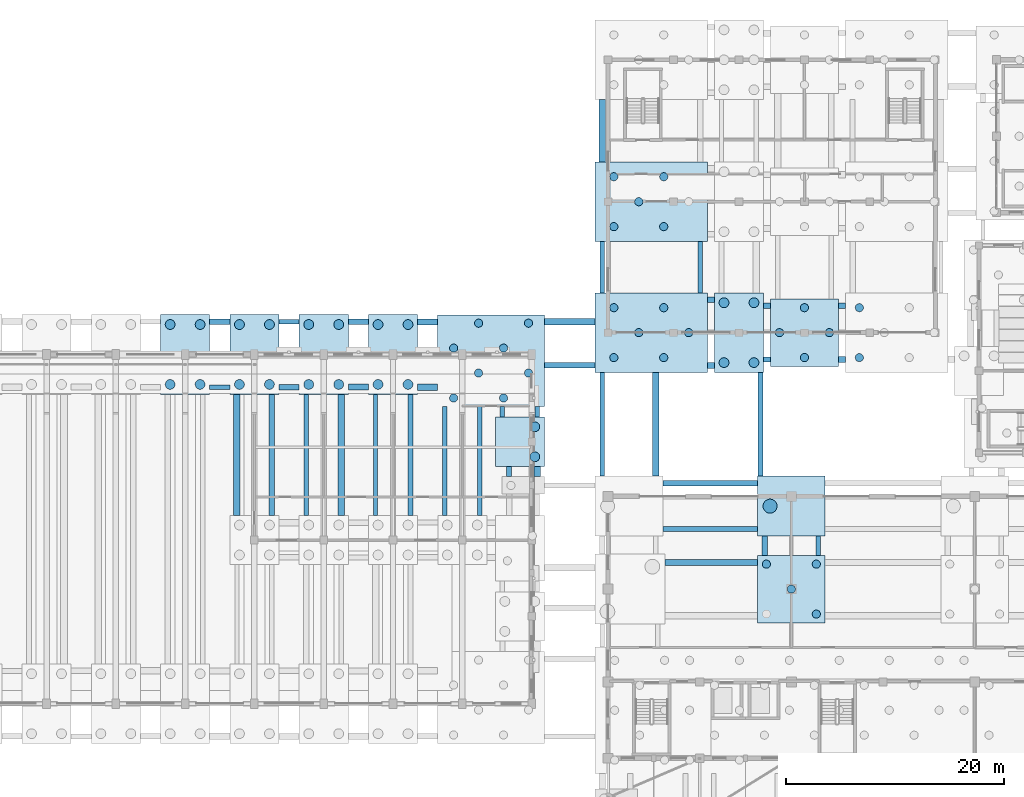
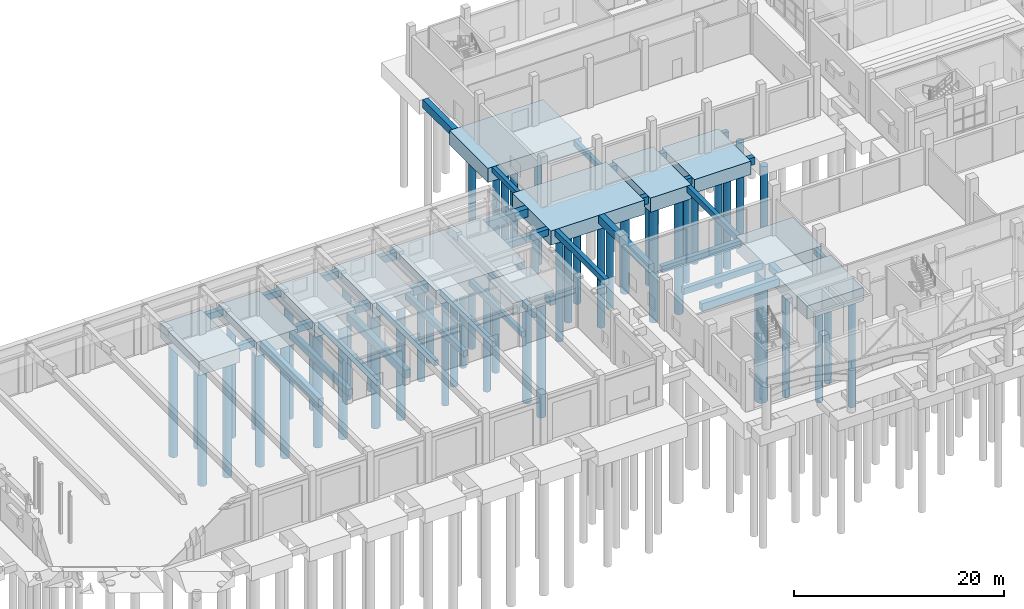
# One storey, part 5 of 60: 52 piles, 51 footings.
"""IFC4 building model written with IfcOpenShell, lengths in metres."""

import ifcopenshell
import ifcopenshell.guid

model = None  # the IFC model being written
_history = None  # IfcOwnerHistory: only IFC2X3 demands one
_inside = {}  # id of a spatial element -> (the spatial element, [elements in it])
_under = {}  # id of a project, library or spatial element -> (it, [spatial elements below it])
_declared = {}  # id of a project -> (the project, [libraries it declares])
_typed = {}  # id of a type object -> (the type object, [elements of that type])
_made_of = {}  # id of a material, layer set ... -> (it, [elements and type objects made of it])


def new_model(schema):
    """Start an empty IFC model of exactly this schema.

    Asked for "IFC4X3", IfcOpenShell would pick the latest addendum, in which some entities
    have other attributes; the version numbers below select the first issue.
    IFC2X3 requires an IfcOwnerHistory on every rooted entity: one is made here for all.
    """
    global model, _history
    if schema == "IFC4X3":
        model = ifcopenshell.file(schema_version=(4, 3, 0, 0))
    else:
        model = ifcopenshell.file(schema=schema)
    _inside.clear()
    _under.clear()
    _declared.clear()
    _typed.clear()
    _made_of.clear()
    _history = None
    if model.schema == "IFC2X3":
        org = make("IfcOrganization", Name="unknown")
        user = make(
            "IfcPersonAndOrganization",
            ThePerson=make("IfcPerson", FamilyName="unknown"),
            TheOrganization=org,
        )
        app = make(
            "IfcApplication",
            ApplicationDeveloper=org,
            Version="unknown",
            ApplicationFullName="unknown",
            ApplicationIdentifier="unknown",
        )
        _history = make(
            "IfcOwnerHistory",
            OwningUser=user,
            OwningApplication=app,
            ChangeAction="ADDED",
            CreationDate=0,
        )
    return model


def make(cls, **values):
    """One entity of the class cls with the attributes given. An attribute that is None is left unset."""
    return model.create_entity(
        cls, **{name: value for name, value in values.items() if value is not None}
    )


def rooted(cls, **values):
    """An entity with a GlobalId (a new one), such as an element, a storey or a relation."""
    return make(cls, GlobalId=ifcopenshell.guid.new(), OwnerHistory=_history, **values)


def si_unit(unit_type, name, prefix=None):
    """IfcSIUnit, for example si_unit("LENGTHUNIT", "METRE", prefix="MILLI")."""
    return make("IfcSIUnit", UnitType=unit_type, Prefix=prefix, Name=name)


def assignment(units):
    """IfcUnitAssignment: the units of a project."""
    return None if units is None else make("IfcUnitAssignment", Units=units)


def point(xyz):
    """IfcCartesianPoint."""
    return None if xyz is None else make("IfcCartesianPoint", Coordinates=xyz)


def direction(xyz):
    """IfcDirection."""
    return None if xyz is None else make("IfcDirection", DirectionRatios=xyz)


def frame(location, z_axis=None, x_axis=None):
    """IfcAxis2Placement3D, a coordinate frame: its origin and axes. An axis left out is left unset."""
    return make(
        "IfcAxis2Placement3D",
        Location=point(location),
        Axis=direction(z_axis),
        RefDirection=direction(x_axis),
    )


def frame_2d(location, x_axis=None):
    """IfcAxis2Placement2D, a coordinate frame in the plane: its origin and x axis."""
    return make(
        "IfcAxis2Placement2D", Location=point(location), RefDirection=direction(x_axis)
    )


def origin():
    """The frame at (0, 0, 0) with its axes left unset."""
    return frame((0.0, 0.0, 0.0))


def origin_2d():
    """The frame at (0, 0) in the plane with its x axis left unset."""
    return frame_2d((0.0, 0.0))


def place(relative_to, where):
    """IfcLocalPlacement: puts the frame where relative to a parent placement (None: the world)."""
    return make(
        "IfcLocalPlacement", PlacementRelTo=relative_to, RelativePlacement=where
    )


def context(
    kind, dimensions, precision=None, world=None, true_north=None, identifier=None
):
    """IfcGeometricRepresentationContext, for example the 3D "Model" context."""
    return make(
        "IfcGeometricRepresentationContext",
        ContextIdentifier=identifier,
        ContextType=kind,
        CoordinateSpaceDimension=dimensions,
        Precision=precision,
        WorldCoordinateSystem=world,
        TrueNorth=true_north,
    )


def subcontext(parent, identifier, kind, view, scale=None):
    """IfcGeometricRepresentationSubContext, for example "Body" below "Model"."""
    return make(
        "IfcGeometricRepresentationSubContext",
        ContextIdentifier=identifier,
        ContextType=kind,
        ParentContext=parent,
        TargetScale=scale,
        TargetView=view,
    )


def project(units=None, contexts=None):
    """IfcProject with its units and contexts."""
    return rooted(
        "IfcProject",
        Name="project",
        RepresentationContexts=contexts,
        UnitsInContext=assignment(units),
    )


def spatial(cls, under=None, at=None, **own):
    """A site, building, storey or space (cls), placed at a placement, below another one or the project."""
    s = rooted(cls, ObjectPlacement=at, **own)
    if under is not None:
        _under.setdefault(under.id(), (under, []))[1].append(s)
    return s


def profile(cls, at=None, kind="AREA", **sizes):
    """A parametric profile (cls). Its sizes go by their IFC names, for example OverallWidth=200.0."""
    return make(cls, ProfileType=kind, Position=at, **sizes)


def rectangle(**sizes):
    """IfcRectangleProfileDef."""
    return profile("IfcRectangleProfileDef", **sizes)


def circle(**sizes):
    """IfcCircleProfileDef."""
    return profile("IfcCircleProfileDef", **sizes)


def extrude(swept, where, along, depth):
    """IfcExtrudedAreaSolid: the profile swept, set in the frame where, extruded along a direction by depth."""
    return make(
        "IfcExtrudedAreaSolid",
        SweptArea=swept,
        Position=where,
        ExtrudedDirection=direction(along),
        Depth=depth,
    )


def shape(context_of_items, identifier, shape_type, items):
    """IfcShapeRepresentation: the items that make up one representation, for example the "Body"."""
    return make(
        "IfcShapeRepresentation",
        ContextOfItems=context_of_items,
        RepresentationIdentifier=identifier,
        RepresentationType=shape_type,
        Items=items,
    )


def material(Name=None, Category=None):
    """IfcMaterial."""
    return make("IfcMaterial", Name=Name, Category=Category)


def material_profile(
    of_material, cross_section, Name=None, Category=None, Priority=None
):
    """IfcMaterialProfile: a cross section and its material."""
    return make(
        "IfcMaterialProfile",
        Name=Name,
        Material=of_material,
        Profile=cross_section,
        Priority=Priority,
        Category=Category,
    )


def profile_set(profiles, Name=None, composite=None):
    """IfcMaterialProfileSet."""
    return make(
        "IfcMaterialProfileSet",
        Name=Name,
        MaterialProfiles=profiles,
        CompositeProfile=composite,
    )


def made_of(thing, what):
    """Note that an element or type object is made of a material, layer set ...; save() writes the relation."""
    if what is not None:
        _made_of.setdefault(what.id(), (what, []))[1].append(thing)
    return thing


def type_object(cls, material=None, **own):
    """A type object (cls), such as IfcWallType, which elements share."""
    return made_of(rooted(cls, **own), material)


def element(
    cls,
    number,
    at=None,
    inside=None,
    cuts=None,
    type_object=None,
    material=None,
    context=None,
    identifier="Body",
    shape_type=None,
    held_by="IfcProductDefinitionShape",
    body=None,
    shapes=None,
    **own,
):
    """One element of the class cls, such as IfcWall. Its Tag is "e" and its number.

    at: its placement. inside: the storey or other place that contains it. cuts: it is an
    opening in that element (IfcRelVoidsElement). A single representation is given by context,
    identifier, shape_type and body (its items); several are given by shapes. held_by: the class
    of the entity that holds the representations. save() writes the other relations.
    """
    e = rooted(cls, Tag="e%d" % number, ObjectPlacement=at, **own)
    if body is not None:
        shapes = [shape(context, identifier, shape_type, body)]
    if shapes is not None:
        e.Representation = make(held_by, Representations=shapes)
    if inside is not None:
        _inside.setdefault(inside.id(), (inside, []))[1].append(e)
    if cuts is not None:
        rooted(
            "IfcRelVoidsElement", RelatingBuildingElement=cuts, RelatedOpeningElement=e
        )
    if type_object is not None:
        _typed.setdefault(type_object.id(), (type_object, []))[1].append(e)
    return made_of(e, material)


def aggregate(whole, parts):
    """IfcRelAggregates: a whole, such as a stair, and the parts it consists of."""
    return rooted("IfcRelAggregates", RelatingObject=whole, RelatedObjects=parts)


def save(model, path):
    """Write the relations noted so far, then the file.

    IfcRelAggregates (storeys below a building ...), IfcRelContainedInSpatialStructure (elements
    in a storey), IfcRelDefinesByType, IfcRelAssociatesMaterial and IfcRelDeclares: one each for
    every whole, place, type object, material and project.
    """
    for whole, parts in _under.values():
        aggregate(whole, parts)
    for where, things in _inside.values():
        rooted(
            "IfcRelContainedInSpatialStructure",
            RelatedElements=things,
            RelatingStructure=where,
        )
    for kind, things in _typed.values():
        rooted("IfcRelDefinesByType", RelatedObjects=things, RelatingType=kind)
    for what, things in _made_of.values():
        rooted("IfcRelAssociatesMaterial", RelatedObjects=things, RelatingMaterial=what)
    for by, libraries in _declared.values():
        rooted("IfcRelDeclares", RelatingContext=by, RelatedDefinitions=libraries)
    model.write(path)


model = new_model("IFC4")

# Units and contexts
model_context = context("Model", 3, precision=1e-05, world=origin(), true_north=direction((0.0, 1.0)))
body_context = subcontext(model_context, "Body", "Model", "MODEL_VIEW")
ifc_project = project(units=[si_unit("LENGTHUNIT", "METRE"), si_unit("AREAUNIT", "SQUARE_METRE"), si_unit("VOLUMEUNIT", "CUBIC_METRE"), si_unit("PLANEANGLEUNIT", "RADIAN"), si_unit("MASSUNIT", "GRAM", prefix="KILO")], contexts=[model_context])

# Site, building, storey
site_placement = place(None, origin())
site = spatial("IfcSite", under=ifc_project, at=site_placement, CompositionType="ELEMENT")
building_placement = place(site_placement, origin())
building = spatial("IfcBuilding", under=site, at=building_placement, Name="Trellovar Central Fire Station", CompositionType="ELEMENT")
storey_placement = place(building_placement, origin())
storey = spatial("IfcBuildingStorey", under=building, at=storey_placement, Name="L01", CompositionType="ELEMENT", Elevation=0.0)

# Footings
ifc_material_1 = material(Name="Concrete C35/45", Category="concrete")
footing_type_1 = type_object("IfcFootingType", Name="CAP-PC12", PredefinedType="PILE_CAP", material=ifc_material_1)
for number, where, z_axis, x_axis, name in (
    (1, (66.75, 46.0, -2.050048828125), (0.0, 0.0, 1.0), (1.0, 0.0, 0.0), "Pile cap PC-12 at (66.8, 46.0)"),
    (2, (73.10009765625, 46.0, -2.050048828125), (0.0, 0.0, 1.0), (1.0, 0.0, 0.0), "Pile cap PC-12 at (73.1, 46.0)"),
    (3, (79.449951171875, 46.0, -2.050048828125), (0.0, 0.0, 1.0), (1.0, 0.0, 0.0), "Pile cap PC-12 at (79.5, 46.0)"),
    (4, (85.800048828125, 46.0, -2.050048828125), (0.0, 0.0, 1.0), (1.0, 0.0, 0.0), "Pile cap PC-12 at (85.8, 46.0)"),
    (5, (117.5, 48.0, -2.050048828125), (0.0, 0.0, 1.0), (1.0, 0.0, 0.0), "Pile cap PC-12 at (117.5, 48.0)"),
):
    element("IfcFooting", number, at=place(storey_placement, frame(where, z_axis=z_axis, x_axis=x_axis)), inside=storey, type_object=footing_type_1, Name=name, PredefinedType="PILE_CAP", context=body_context, shape_type="SweptSolid", body=[
        extrude(rectangle(XDim=4.5, YDim=7.300048828125, at=origin_2d()), origin(), (0.0, 0.0, 1.0), 1.64990234375),
    ])
ifc_material_2 = material(Name="Concrete C35/45", Category="concrete")
footing_type_2 = type_object("IfcFootingType", Name="CAP-PC23", PredefinedType="PILE_CAP", material=ifc_material_2)
footing_1_placement = place(storey_placement, frame((94.784912109375, 45.43798828125, -2.10009765625), z_axis=(0.0, 0.0, 1.0), x_axis=(1.0, 0.0, 0.0)))
element("IfcFooting", 6, at=footing_1_placement, inside=storey, type_object=footing_type_2, Name="Pile cap PC-23 at (94.8, 45.4)", PredefinedType="PILE_CAP", context=body_context, shape_type="SweptSolid", body=[
    extrude(rectangle(XDim=9.800048828125, YDim=8.39990234375, at=origin_2d()), origin(), (0.0, 0.0, 1.0), 1.699951171875),
])
ifc_material_3 = material(Name="Concrete C35/45", Category="concrete")
footing_type_3 = type_object("IfcFootingType", Name="CAP-PC26", PredefinedType="PILE_CAP", material=ifc_material_3)
footing_2_placement = place(storey_placement, frame((97.419921875, 38.0, -1.800048828125), z_axis=(0.0, 0.0, 1.0), x_axis=(1.0, 0.0, 0.0)))
element("IfcFooting", 7, at=footing_2_placement, inside=storey, type_object=footing_type_3, Name="Pile cap PC-26 at (97.4, 38.0)", PredefinedType="PILE_CAP", context=body_context, shape_type="SweptSolid", body=[
    extrude(rectangle(XDim=4.5, YDim=4.5, at=origin_2d()), origin(), (0.0, 0.0, 1.0), 1.39990234375),
])
ifc_material_4 = material(Name="Concrete C35/45", Category="concrete")
footing_type_4 = type_object("IfcFootingType", Name="CAP-PC30", PredefinedType="PILE_CAP", material=ifc_material_4)
footing_3_placement = place(storey_placement, frame((122.300048828125, 32.10009765625, -2.25), z_axis=(0.0, 0.0, 1.0), x_axis=(1.0, 0.0, 0.0)))
element("IfcFooting", 8, at=footing_3_placement, inside=storey, type_object=footing_type_4, Name="Pile cap PC-30 at (122.3, 32.1)", PredefinedType="PILE_CAP", context=body_context, shape_type="SweptSolid", body=[
    extrude(rectangle(XDim=6.199951171875, YDim=5.5, at=origin_2d()), origin(), (0.0, 0.0, 1.0), 1.85009765625),
])
ifc_material_5 = material(Name="Concrete C35/45", Category="concrete")
footing_type_5 = type_object("IfcFootingType", Name="CAP-PC31", PredefinedType="PILE_CAP", material=ifc_material_5)
for number, where, z_axis, x_axis, name in (
    (9, (109.462890625, 48.0, -2.050048828125), (0.0, 0.0, 1.0), (1.0, 0.0, 0.0), "Pile cap PC-31 at (109.5, 48.0)"),
    (10, (109.462890625, 60.0, -2.050048828125), (0.0, 0.0, 1.0), (1.0, 0.0, 0.0), "Pile cap PC-31 at (109.5, 60.0)"),
):
    element("IfcFooting", number, at=place(storey_placement, frame(where, z_axis=z_axis, x_axis=x_axis)), inside=storey, type_object=footing_type_5, Name=name, PredefinedType="PILE_CAP", context=body_context, shape_type="SweptSolid", body=[
        extrude(rectangle(XDim=10.300048828125, YDim=7.300048828125, at=origin_2d()), origin(), (0.0, 0.0, 1.0), 1.64990234375),
    ])
ifc_material_6 = material(Name="Concrete C35/45", Category="concrete")
footing_type_6 = type_object("IfcFootingType", Name="CAP-PC33", PredefinedType="PILE_CAP", material=ifc_material_6)
footing_4_placement = place(storey_placement, frame((122.300048828125, 24.5, -1.9501953125), z_axis=(0.0, 0.0, 1.0), x_axis=(1.0, 0.0, 0.0)))
element("IfcFooting", 11, at=footing_4_placement, inside=storey, type_object=footing_type_6, Name="Pile cap PC-33 at (122.3, 24.5)", PredefinedType="PILE_CAP", context=body_context, shape_type="SweptSolid", body=[
    extrude(rectangle(XDim=6.199951171875, YDim=6.199951171875, at=origin_2d()), origin(), (0.0, 0.0, 1.0), 1.550048828125),
])
ifc_material_7 = material(Name="Concrete C35/45", Category="concrete")
footing_type_7 = type_object("IfcFootingType", Name="CAP-PC34", PredefinedType="PILE_CAP", material=ifc_material_7)
footing_5_placement = place(storey_placement, frame((123.5, 48.0, -1.9501953125), z_axis=(0.0, 0.0, 1.0), x_axis=(1.0, 0.0, 0.0)))
element("IfcFooting", 12, at=footing_5_placement, inside=storey, type_object=footing_type_7, Name="Pile cap PC-34 at (123.5, 48.0)", PredefinedType="PILE_CAP", context=body_context, shape_type="SweptSolid", body=[
    extrude(rectangle(XDim=6.199951171875, YDim=6.199951171875, at=origin_2d()), origin(), (0.0, 0.0, 1.0), 1.550048828125),
])
ifc_material_8 = material(Name="Concrete C35/45", Category="concrete")
ifc_material_profile_1 = material_profile(ifc_material_8, rectangle(XDim=0.5, YDim=0.800048828125, at=origin_2d()), Name="RC500X800")
ifc_profile_set_1 = profile_set([ifc_material_profile_1], Name="Concrete C35/45")
footing_type_8 = type_object("IfcFootingType", Name="FB-GB1", PredefinedType="FOOTING_BEAM", material=ifc_profile_set_1)
footing_6_placement = place(storey_placement, frame((74.699951171875, 31.25, -0.800048828125), z_axis=(0.0, 1.0, 0.0), x_axis=(-1.0, 0.0, 0.0)))
element("IfcFooting", 13, at=footing_6_placement, inside=storey, type_object=footing_type_8, Name="Footing tie beam GB-113", PredefinedType="FOOTING_BEAM", context=body_context, shape_type="SweptSolid", body=[
    extrude(rectangle(XDim=0.5, YDim=0.800048828125, at=origin_2d()), origin(), (0.0, 0.0, 1.0), 11.10009765625),
])
footing_7_placement = place(storey_placement, frame((75.35009765625, 43.0, -0.800048828125), z_axis=(1.0, 0.0, 0.0), x_axis=(0.0, 1.0, 0.0)))
element("IfcFooting", 14, at=footing_7_placement, inside=storey, type_object=footing_type_8, Name="Footing tie beam GB-114", PredefinedType="FOOTING_BEAM", context=body_context, shape_type="SweptSolid", body=[
    extrude(rectangle(XDim=0.5, YDim=0.800048828125, at=origin_2d()), origin(), (0.0, 0.0, 1.0), 1.849853515625),
])
footing_8_placement = place(storey_placement, frame((81.699951171875, 49.0, -0.800048828125), z_axis=(1.0, 0.0, 0.0), x_axis=(0.0, 1.0, 0.0)))
element("IfcFooting", 15, at=footing_8_placement, inside=storey, type_object=footing_type_8, Name="Footing tie beam GB-125", PredefinedType="FOOTING_BEAM", context=body_context, shape_type="SweptSolid", body=[
    extrude(rectangle(XDim=0.5, YDim=0.800048828125, at=origin_2d()), origin(), (0.0, 0.0, 1.0), 1.85009765625),
])
footing_9_placement = place(storey_placement, frame((114.613037109375, 51.0, -0.800048828125), z_axis=(1.0, 0.0, 0.0), x_axis=(0.0, 1.0, 0.0)))
element("IfcFooting", 16, at=footing_9_placement, inside=storey, type_object=footing_type_8, Name="Footing tie beam GB-172", PredefinedType="FOOTING_BEAM", context=body_context, shape_type="SweptSolid", body=[
    extrude(rectangle(XDim=0.5, YDim=0.800048828125, at=origin_2d()), origin(), (0.0, 0.0, 1.0), 0.636962890625),
])
footing_10_placement = place(storey_placement, frame((119.85009765625, 27.60009765625, -0.800048828125), z_axis=(0.0, 1.0, 0.0), x_axis=(-1.0, 0.0, 0.0)))
element("IfcFooting", 17, at=footing_10_placement, inside=storey, type_object=footing_type_8, Name="Footing tie beam GB-199", PredefinedType="FOOTING_BEAM", context=body_context, shape_type="SweptSolid", body=[
    extrude(rectangle(XDim=0.5, YDim=0.800048828125, at=origin_2d()), origin(), (0.0, 0.0, 1.0), 1.75),
])
footing_11_placement = place(storey_placement, frame((126.60009765625, 50.449951171875, -0.800048828125), z_axis=(1.0, 0.0, 0.0), x_axis=(0.0, 1.0, 0.0)))
element("IfcFooting", 18, at=footing_11_placement, inside=storey, type_object=footing_type_8, Name="Footing tie beam GB-205", PredefinedType="FOOTING_BEAM", context=body_context, shape_type="SweptSolid", body=[
    extrude(rectangle(XDim=0.5, YDim=0.800048828125, at=origin_2d()), origin(), (0.0, 0.0, 1.0), 0.659912109375),
])
ifc_material_9 = material(Name="Concrete C35/45", Category="concrete")
ifc_material_profile_2 = material_profile(ifc_material_9, rectangle(XDim=0.60009765625, YDim=0.949951171875, at=origin_2d()), Name="RC600X950")
ifc_profile_set_2 = profile_set([ifc_material_profile_2], Name="Concrete C35/45")
footing_type_9 = type_object("IfcFootingType", Name="FB-GB2", PredefinedType="FOOTING_BEAM", material=ifc_profile_set_2)
for number, where, z_axis, x_axis, name in (
    (19, (71.5, 31.25, -0.875), (0.0, 1.0, 0.0), (-1.0, 0.0, 0.0), "Footing tie beam GB-112"),
    (20, (81.050048828125, 31.25, -0.875), (0.0, 1.0, 0.0), (-1.0, 0.0, 0.0), "Footing tie beam GB-123"),
):
    element("IfcFooting", number, at=place(storey_placement, frame(where, z_axis=z_axis, x_axis=x_axis)), inside=storey, type_object=footing_type_9, Name=name, PredefinedType="FOOTING_BEAM", context=body_context, shape_type="SweptSolid", body=[
        extrude(rectangle(XDim=0.60009765625, YDim=0.949951171875, at=origin_2d()), origin(), (0.0, 0.0, 1.0), 11.10009765625),
    ])
footing_12_placement = place(storey_placement, frame((88.050048828125, 43.0, -0.875), z_axis=(1.0, 0.0, 0.0), x_axis=(0.0, 1.0, 0.0)))
element("IfcFooting", 21, at=footing_12_placement, inside=storey, type_object=footing_type_9, Name="Footing tie beam GB-134", PredefinedType="FOOTING_BEAM", context=body_context, shape_type="SweptSolid", body=[
    extrude(rectangle(XDim=0.60009765625, YDim=0.949951171875, at=origin_2d()), origin(), (0.0, 0.0, 1.0), 1.8349609375),
])
footing_13_placement = place(storey_placement, frame((99.68505859375, 48.988037109375, -0.875), z_axis=(1.0, 0.0, 0.0), x_axis=(0.0, 1.0, 0.0)))
element("IfcFooting", 22, at=footing_13_placement, inside=storey, type_object=footing_type_9, Name="Footing tie beam GB-145", PredefinedType="FOOTING_BEAM", context=body_context, shape_type="SweptSolid", body=[
    extrude(rectangle(XDim=0.60009765625, YDim=0.949951171875, at=origin_2d()), origin(), (0.0, 0.0, 1.0), 4.6279296875),
])
footing_14_placement = place(storey_placement, frame((99.02001953125, 34.800048828125, -0.875), z_axis=(0.0, 1.0, 0.0), x_axis=(-1.0, 0.0, 0.0)))
element("IfcFooting", 23, at=footing_14_placement, inside=storey, type_object=footing_type_9, Name="Footing tie beam GB-154", PredefinedType="FOOTING_BEAM", context=body_context, shape_type="SweptSolid", body=[
    extrude(rectangle(XDim=0.60009765625, YDim=0.949951171875, at=origin_2d()), origin(), (0.0, 0.0, 1.0), 0.949951171875),
])
footing_15_placement = place(storey_placement, frame((109.8701171875, 34.85009765625, -0.875), z_axis=(0.0, 1.0, 0.0), x_axis=(-1.0, 0.0, 0.0)))
element("IfcFooting", 24, at=footing_15_placement, inside=storey, type_object=footing_type_9, Name="Footing tie beam GB-170", PredefinedType="FOOTING_BEAM", context=body_context, shape_type="SweptSolid", body=[
    extrude(rectangle(XDim=0.60009765625, YDim=0.949951171875, at=origin_2d()), origin(), (0.0, 0.0, 1.0), 9.5),
])
footing_16_placement = place(storey_placement, frame((104.962890625, 63.64990234375, -0.875), z_axis=(0.0, 1.0, 0.0), x_axis=(-1.0, 0.0, 0.0)))
element("IfcFooting", 25, at=footing_16_placement, inside=storey, type_object=footing_type_9, Name="Footing tie beam GB-177", PredefinedType="FOOTING_BEAM", context=body_context, shape_type="SweptSolid", body=[
    extrude(rectangle(XDim=0.60009765625, YDim=0.949951171875, at=origin_2d()), origin(), (0.0, 0.0, 1.0), 5.7001953125),
])
ifc_material_10 = material(Name="Concrete C35/45", Category="concrete")
ifc_material_profile_3 = material_profile(ifc_material_10, rectangle(XDim=0.449951171875, YDim=0.75, at=origin_2d()), Name="RC450X750")
ifc_profile_set_3 = profile_set([ifc_material_profile_3], Name="Concrete C35/45")
footing_type_10 = type_object("IfcFootingType", Name="FB-GB3", PredefinedType="FOOTING_BEAM", material=ifc_profile_set_3)
footing_17_placement = place(storey_placement, frame((69.0, 43.0, -0.77490234375), z_axis=(1.0, 0.0, 0.0), x_axis=(0.0, 1.0, 0.0)))
element("IfcFooting", 26, at=footing_17_placement, inside=storey, type_object=footing_type_10, Name="Footing tie beam GB-104", PredefinedType="FOOTING_BEAM", context=body_context, shape_type="SweptSolid", body=[
    extrude(rectangle(XDim=0.449951171875, YDim=0.75, at=origin_2d()), origin(), (0.0, 0.0, 1.0), 1.85009765625),
])
footing_18_placement = place(storey_placement, frame((75.35009765625, 49.0, -0.77490234375), z_axis=(1.0, 0.0, 0.0), x_axis=(0.0, 1.0, 0.0)))
element("IfcFooting", 27, at=footing_18_placement, inside=storey, type_object=footing_type_10, Name="Footing tie beam GB-115", PredefinedType="FOOTING_BEAM", context=body_context, shape_type="SweptSolid", body=[
    extrude(rectangle(XDim=0.449951171875, YDim=0.75, at=origin_2d()), origin(), (0.0, 0.0, 1.0), 1.849853515625),
])
footing_19_placement = place(storey_placement, frame((110.52001953125, 30.0, -0.77490234375), z_axis=(1.0, 0.0, 0.0), x_axis=(0.0, 1.0, 0.0)))
element("IfcFooting", 28, at=footing_19_placement, inside=storey, type_object=footing_type_10, Name="Footing tie beam GB-167", PredefinedType="FOOTING_BEAM", context=body_context, shape_type="SweptSolid", body=[
    extrude(rectangle(XDim=0.449951171875, YDim=0.75, at=origin_2d()), origin(), (0.0, 0.0, 1.0), 8.679931640625),
])
footing_20_placement = place(storey_placement, frame((119.75, 45.550048828125, -0.77490234375), z_axis=(1.0, 0.0, 0.0), x_axis=(0.0, 1.0, 0.0)))
element("IfcFooting", 29, at=footing_20_placement, inside=storey, type_object=footing_type_10, Name="Footing tie beam GB-184", PredefinedType="FOOTING_BEAM", context=body_context, shape_type="SweptSolid", body=[
    extrude(rectangle(XDim=0.449951171875, YDim=0.75, at=origin_2d()), origin(), (0.0, 0.0, 1.0), 0.64990234375),
])
ifc_material_11 = material(Name="Concrete C35/45", Category="concrete")
ifc_material_profile_4 = material_profile(ifc_material_11, rectangle(XDim=0.39990234375, YDim=0.64990234375, at=origin_2d()), Name="RC400X650")
ifc_profile_set_4 = profile_set([ifc_material_profile_4], Name="Concrete C35/45")
footing_type_11 = type_object("IfcFootingType", Name="FB-GB4", PredefinedType="FOOTING_BEAM", material=ifc_profile_set_4)
footing_21_placement = place(storey_placement, frame((84.199951171875, 31.25, -0.72509765625), z_axis=(0.0, 1.0, 0.0), x_axis=(-1.0, 0.0, 0.0)))
element("IfcFooting", 30, at=footing_21_placement, inside=storey, type_object=footing_type_11, Name="Footing tie beam GB-132", PredefinedType="FOOTING_BEAM", context=body_context, shape_type="SweptSolid", body=[
    extrude(rectangle(XDim=0.39990234375, YDim=0.64990234375, at=origin_2d()), origin(), (0.0, 0.0, 1.0), 11.10009765625),
])
footing_22_placement = place(storey_placement, frame((93.75, 31.25, -0.72509765625), z_axis=(0.0, 1.0, 0.0), x_axis=(-1.0, 0.0, 0.0)))
element("IfcFooting", 31, at=footing_22_placement, inside=storey, type_object=footing_type_11, Name="Footing tie beam GB-143", PredefinedType="FOOTING_BEAM", context=body_context, shape_type="SweptSolid", body=[
    extrude(rectangle(XDim=0.39990234375, YDim=0.64990234375, at=origin_2d()), origin(), (0.0, 0.0, 1.0), 9.988037109375),
])
footing_23_placement = place(storey_placement, frame((99.02001953125, 40.25, -0.72509765625), z_axis=(0.0, 1.0, 0.0), x_axis=(-1.0, 0.0, 0.0)))
element("IfcFooting", 32, at=footing_23_placement, inside=storey, type_object=footing_type_11, Name="Footing tie beam GB-156", PredefinedType="FOOTING_BEAM", context=body_context, shape_type="SweptSolid", body=[
    extrude(rectangle(XDim=0.39990234375, YDim=0.64990234375, at=origin_2d()), origin(), (0.0, 0.0, 1.0), 0.988037109375),
])
footing_24_placement = place(storey_placement, frame((113.962890625, 51.64990234375, -0.72509765625), z_axis=(0.0, 1.0, 0.0), x_axis=(-1.0, 0.0, 0.0)))
element("IfcFooting", 33, at=footing_24_placement, inside=storey, type_object=footing_type_11, Name="Footing tie beam GB-174", PredefinedType="FOOTING_BEAM", context=body_context, shape_type="SweptSolid", body=[
    extrude(rectangle(XDim=0.39990234375, YDim=0.64990234375, at=origin_2d()), origin(), (0.0, 0.0, 1.0), 4.7001953125),
])
ifc_material_12 = material(Name="Concrete C35/45", Category="concrete")
ifc_material_profile_5 = material_profile(ifc_material_12, rectangle(XDim=0.550048828125, YDim=0.85009765625, at=origin_2d()), Name="RC550X850")
ifc_profile_set_5 = profile_set([ifc_material_profile_5], Name="Concrete C35/45")
footing_type_12 = type_object("IfcFootingType", Name="FB-GB5", PredefinedType="FOOTING_BEAM", material=ifc_profile_set_5)
footing_25_placement = place(storey_placement, frame((81.699951171875, 43.0, -0.824951171875), z_axis=(1.0, 0.0, 0.0), x_axis=(0.0, 1.0, 0.0)))
element("IfcFooting", 34, at=footing_25_placement, inside=storey, type_object=footing_type_12, Name="Footing tie beam GB-124", PredefinedType="FOOTING_BEAM", context=body_context, shape_type="SweptSolid", body=[
    extrude(rectangle(XDim=0.550048828125, YDim=0.85009765625, at=origin_2d()), origin(), (0.0, 0.0, 1.0), 1.85009765625),
])
footing_26_placement = place(storey_placement, frame((88.050048828125, 48.988037109375, -0.824951171875), z_axis=(1.0, 0.0, 0.0), x_axis=(0.0, 1.0, 0.0)))
element("IfcFooting", 35, at=footing_26_placement, inside=storey, type_object=footing_type_12, Name="Footing tie beam GB-135", PredefinedType="FOOTING_BEAM", context=body_context, shape_type="SweptSolid", body=[
    extrude(rectangle(XDim=0.550048828125, YDim=0.85009765625, at=origin_2d()), origin(), (0.0, 0.0, 1.0), 1.8349609375),
])
footing_27_placement = place(storey_placement, frame((110.705078125, 26.949951171875, -0.824951171875), z_axis=(1.0, 0.0, 0.0), x_axis=(0.0, 1.0, 0.0)))
element("IfcFooting", 36, at=footing_27_placement, inside=storey, type_object=footing_type_12, Name="Footing tie beam GB-164", PredefinedType="FOOTING_BEAM", context=body_context, shape_type="SweptSolid", body=[
    extrude(rectangle(XDim=0.550048828125, YDim=0.85009765625, at=origin_2d()), origin(), (0.0, 0.0, 1.0), 8.494873046875),
])
footing_28_placement = place(storey_placement, frame((114.613037109375, 45.0, -0.824951171875), z_axis=(1.0, 0.0, 0.0), x_axis=(0.0, 1.0, 0.0)))
element("IfcFooting", 37, at=footing_28_placement, inside=storey, type_object=footing_type_12, Name="Footing tie beam GB-171", PredefinedType="FOOTING_BEAM", context=body_context, shape_type="SweptSolid", body=[
    extrude(rectangle(XDim=0.550048828125, YDim=0.85009765625, at=origin_2d()), origin(), (0.0, 0.0, 1.0), 0.636962890625),
])
footing_29_placement = place(storey_placement, frame((126.60009765625, 45.550048828125, -0.824951171875), z_axis=(1.0, 0.0, 0.0), x_axis=(0.0, 1.0, 0.0)))
element("IfcFooting", 38, at=footing_29_placement, inside=storey, type_object=footing_type_12, Name="Footing tie beam GB-204", PredefinedType="FOOTING_BEAM", context=body_context, shape_type="SweptSolid", body=[
    extrude(rectangle(XDim=0.550048828125, YDim=0.85009765625, at=origin_2d()), origin(), (0.0, 0.0, 1.0), 0.659912109375),
])
ifc_material_13 = material(Name="Concrete C35/45", Category="concrete")
ifc_material_profile_6 = material_profile(ifc_material_13, rectangle(XDim=0.5, YDim=0.75, at=origin_2d()), Name="RC500X750")
ifc_profile_set_6 = profile_set([ifc_material_profile_6], Name="Concrete C35/45")
footing_type_13 = type_object("IfcFootingType", Name="FB-GB6", PredefinedType="FOOTING_BEAM", material=ifc_profile_set_6)
footing_30_placement = place(storey_placement, frame((69.0, 49.0, -0.77490234375), z_axis=(1.0, 0.0, 0.0), x_axis=(0.0, 1.0, 0.0)))
element("IfcFooting", 39, at=footing_30_placement, inside=storey, type_object=footing_type_13, Name="Footing tie beam GB-105", PredefinedType="FOOTING_BEAM", context=body_context, shape_type="SweptSolid", body=[
    extrude(rectangle(XDim=0.5, YDim=0.75, at=origin_2d()), origin(), (0.0, 0.0, 1.0), 1.85009765625),
])
footing_31_placement = place(storey_placement, frame((99.68505859375, 45.0, -0.77490234375), z_axis=(1.0, 0.0, 0.0), x_axis=(0.0, 1.0, 0.0)))
element("IfcFooting", 40, at=footing_31_placement, inside=storey, type_object=footing_type_13, Name="Footing tie beam GB-144", PredefinedType="FOOTING_BEAM", context=body_context, shape_type="SweptSolid", body=[
    extrude(rectangle(XDim=0.5, YDim=0.75, at=origin_2d()), origin(), (0.0, 0.0, 1.0), 4.6279296875),
])
footing_32_placement = place(storey_placement, frame((110.52001953125, 34.199951171875, -0.77490234375), z_axis=(1.0, 0.0, 0.0), x_axis=(0.0, 1.0, 0.0)))
element("IfcFooting", 41, at=footing_32_placement, inside=storey, type_object=footing_type_13, Name="Footing tie beam GB-168", PredefinedType="FOOTING_BEAM", context=body_context, shape_type="SweptSolid", body=[
    extrude(rectangle(XDim=0.5, YDim=0.75, at=origin_2d()), origin(), (0.0, 0.0, 1.0), 8.679931640625),
])
footing_33_placement = place(storey_placement, frame((119.75, 50.449951171875, -0.77490234375), z_axis=(1.0, 0.0, 0.0), x_axis=(0.0, 1.0, 0.0)))
element("IfcFooting", 42, at=footing_33_placement, inside=storey, type_object=footing_type_13, Name="Footing tie beam GB-185", PredefinedType="FOOTING_BEAM", context=body_context, shape_type="SweptSolid", body=[
    extrude(rectangle(XDim=0.5, YDim=0.75, at=origin_2d()), origin(), (0.0, 0.0, 1.0), 0.64990234375),
])
ifc_material_14 = material(Name="Concrete C35/45", Category="concrete")
ifc_material_profile_7 = material_profile(ifc_material_14, rectangle(XDim=0.449951171875, YDim=0.699951171875, at=origin_2d()), Name="RC450X700")
ifc_profile_set_7 = profile_set([ifc_material_profile_7], Name="Concrete C35/45")
footing_type_14 = type_object("IfcFootingType", Name="FB-GB7", PredefinedType="FOOTING_BEAM", material=ifc_profile_set_7)
for number, where, z_axis, x_axis, name in (
    (43, (77.85009765625, 31.25, -0.75), (0.0, 1.0, 0.0), (-1.0, 0.0, 0.0), "Footing tie beam GB-122"),
    (44, (87.39990234375, 31.25, -0.75), (0.0, 1.0, 0.0), (-1.0, 0.0, 0.0), "Footing tie beam GB-133"),
):
    element("IfcFooting", number, at=place(storey_placement, frame(where, z_axis=z_axis, x_axis=x_axis)), inside=storey, type_object=footing_type_14, Name=name, PredefinedType="FOOTING_BEAM", context=body_context, shape_type="SweptSolid", body=[
        extrude(rectangle(XDim=0.449951171875, YDim=0.699951171875, at=origin_2d()), origin(), (0.0, 0.0, 1.0), 11.10009765625),
    ])
footing_34_placement = place(storey_placement, frame((96.445068359375, 34.800048828125, -0.75), z_axis=(0.0, 1.0, 0.0), x_axis=(-1.0, 0.0, 0.0)))
element("IfcFooting", 45, at=footing_34_placement, inside=storey, type_object=footing_type_14, Name="Footing tie beam GB-153", PredefinedType="FOOTING_BEAM", context=body_context, shape_type="SweptSolid", body=[
    extrude(rectangle(XDim=0.449951171875, YDim=0.699951171875, at=origin_2d()), origin(), (0.0, 0.0, 1.0), 0.949951171875),
])
for number, where, z_axis, x_axis, name in (
    (46, (104.969970703125, 34.85009765625, -0.75), (0.0, 1.0, 0.0), (-1.0, 0.0, 0.0), "Footing tie beam GB-169"),
    (47, (119.47509765625, 34.85009765625, -0.75), (0.0, 1.0, 0.0), (-1.0, 0.0, 0.0), "Footing tie beam GB-203"),
):
    element("IfcFooting", number, at=place(storey_placement, frame(where, z_axis=z_axis, x_axis=x_axis)), inside=storey, type_object=footing_type_14, Name=name, PredefinedType="FOOTING_BEAM", context=body_context, shape_type="SweptSolid", body=[
        extrude(rectangle(XDim=0.449951171875, YDim=0.699951171875, at=origin_2d()), origin(), (0.0, 0.0, 1.0), 9.5),
    ])
ifc_material_15 = material(Name="Concrete C35/45", Category="concrete")
ifc_material_profile_8 = material_profile(ifc_material_15, rectangle(XDim=0.39990234375, YDim=0.60009765625, at=origin_2d()), Name="RC400X600")
ifc_profile_set_8 = profile_set([ifc_material_profile_8], Name="Concrete C35/45")
footing_type_15 = type_object("IfcFootingType", Name="FB-GB8", PredefinedType="FOOTING_BEAM", material=ifc_profile_set_8)
footing_35_placement = place(storey_placement, frame((90.550048828125, 31.25, -0.699951171875), z_axis=(0.0, 1.0, 0.0), x_axis=(-1.0, 0.0, 0.0)))
element("IfcFooting", 48, at=footing_35_placement, inside=storey, type_object=footing_type_15, Name="Footing tie beam GB-142", PredefinedType="FOOTING_BEAM", context=body_context, shape_type="SweptSolid", body=[
    extrude(rectangle(XDim=0.39990234375, YDim=0.60009765625, at=origin_2d()), origin(), (0.0, 0.0, 1.0), 9.988037109375),
])
footing_36_placement = place(storey_placement, frame((95.820068359375, 40.25, -0.699951171875), z_axis=(0.0, 1.0, 0.0), x_axis=(-1.0, 0.0, 0.0)))
element("IfcFooting", 49, at=footing_36_placement, inside=storey, type_object=footing_type_15, Name="Footing tie beam GB-155", PredefinedType="FOOTING_BEAM", context=body_context, shape_type="SweptSolid", body=[
    extrude(rectangle(XDim=0.39990234375, YDim=0.60009765625, at=origin_2d()), origin(), (0.0, 0.0, 1.0), 0.988037109375),
])
footing_37_placement = place(storey_placement, frame((104.962890625, 51.64990234375, -0.699951171875), z_axis=(0.0, 1.0, 0.0), x_axis=(-1.0, 0.0, 0.0)))
element("IfcFooting", 50, at=footing_37_placement, inside=storey, type_object=footing_type_15, Name="Footing tie beam GB-173", PredefinedType="FOOTING_BEAM", context=body_context, shape_type="SweptSolid", body=[
    extrude(rectangle(XDim=0.39990234375, YDim=0.60009765625, at=origin_2d()), origin(), (0.0, 0.0, 1.0), 4.7001953125),
])
footing_38_placement = place(storey_placement, frame((124.75, 27.60009765625, -0.699951171875), z_axis=(0.0, 1.0, 0.0), x_axis=(-1.0, 0.0, 0.0)))
element("IfcFooting", 51, at=footing_38_placement, inside=storey, type_object=footing_type_15, Name="Footing tie beam GB-200", PredefinedType="FOOTING_BEAM", context=body_context, shape_type="SweptSolid", body=[
    extrude(rectangle(XDim=0.39990234375, YDim=0.60009765625, at=origin_2d()), origin(), (0.0, 0.0, 1.0), 1.75),
])

# Piles
ifc_material_16 = material(Name="Concrete C35/45", Category="concrete")
ifc_material_profile_9 = material_profile(ifc_material_16, circle(Radius=0.375, at=origin_2d()), Name="PILE750")
ifc_profile_set_9 = profile_set([ifc_material_profile_9], Name="Concrete C35/45")
pile_type_1 = type_object("IfcPileType", Name="PILE-BP1", PredefinedType="BORED", material=ifc_profile_set_9)
for number, where, z_axis, x_axis, name in (
    (52, (91.35498046875, 42.008056640625, -2.0), (0.0, 0.0, -1.0), (1.0, 0.0, 0.0), "Bored pile FNDBP3-055-01"),
    (53, (91.35498046875, 46.5810546875, -2.0), (0.0, 0.0, -1.0), (1.0, 0.0, 0.0), "Bored pile FNDBP3-055-02"),
    (54, (93.64208984375, 44.294921875, -2.0), (0.0, 0.0, -1.0), (1.0, 0.0, 0.0), "Bored pile FNDBP3-055-03"),
    (55, (93.64208984375, 48.867919921875, -2.0), (0.0, 0.0, -1.0), (1.0, 0.0, 0.0), "Bored pile FNDBP3-055-04"),
    (56, (95.927978515625, 42.008056640625, -2.0), (0.0, 0.0, -1.0), (1.0, 0.0, 0.0), "Bored pile FNDBP3-055-05"),
    (57, (95.927978515625, 46.5810546875, -2.0), (0.0, 0.0, -1.0), (1.0, 0.0, 0.0), "Bored pile FNDBP3-055-06"),
    (58, (98.215087890625, 44.294921875, -2.0), (0.0, 0.0, -1.0), (1.0, 0.0, 0.0), "Bored pile FNDBP3-055-07"),
    (59, (98.215087890625, 48.867919921875, -2.0), (0.0, 0.0, -1.0), (1.0, 0.0, 0.0), "Bored pile FNDBP3-055-08"),
    (60, (106.032958984375, 45.712890625, -1.949951171875), (0.0, 0.0, -1.0), (1.0, 0.0, 0.0), "Bored pile FNDBP3-064-01"),
    (61, (106.032958984375, 50.287109375, -1.949951171875), (0.0, 0.0, -1.0), (1.0, 0.0, 0.0), "Bored pile FNDBP3-064-02"),
    (62, (108.320068359375, 48.0, -1.949951171875), (0.0, 0.0, -1.0), (1.0, 0.0, 0.0), "Bored pile FNDBP3-064-03"),
    (63, (110.60595703125, 45.712890625, -1.949951171875), (0.0, 0.0, -1.0), (1.0, 0.0, 0.0), "Bored pile FNDBP3-064-04"),
    (64, (110.60595703125, 50.287109375, -1.949951171875), (0.0, 0.0, -1.0), (1.0, 0.0, 0.0), "Bored pile FNDBP3-064-05"),
    (65, (112.89306640625, 48.0, -1.949951171875), (0.0, 0.0, -1.0), (1.0, 0.0, 0.0), "Bored pile FNDBP3-064-06"),
    (66, (106.032958984375, 57.712890625, -1.949951171875), (0.0, 0.0, -1.0), (1.0, 0.0, 0.0), "Bored pile FNDBP3-065-01"),
    (67, (106.032958984375, 62.287109375, -1.949951171875), (0.0, 0.0, -1.0), (1.0, 0.0, 0.0), "Bored pile FNDBP3-065-02"),
    (68, (108.320068359375, 60.0, -1.949951171875), (0.0, 0.0, -1.0), (1.0, 0.0, 0.0), "Bored pile FNDBP3-065-03"),
    (69, (110.60595703125, 57.712890625, -1.949951171875), (0.0, 0.0, -1.0), (1.0, 0.0, 0.0), "Bored pile FNDBP3-065-04"),
    (70, (110.60595703125, 62.287109375, -1.949951171875), (0.0, 0.0, -1.0), (1.0, 0.0, 0.0), "Bored pile FNDBP3-065-05"),
    (71, (120.012939453125, 26.787109375, -1.85009765625), (0.0, 0.0, -1.0), (1.0, 0.0, 0.0), "Bored pile FNDBP3-072-02"),
    (72, (122.300048828125, 24.5, -1.85009765625), (0.0, 0.0, -1.0), (1.0, 0.0, 0.0), "Bored pile FNDBP3-072-03"),
    (73, (124.5869140625, 22.212890625, -1.85009765625), (0.0, 0.0, -1.0), (1.0, 0.0, 0.0), "Bored pile FNDBP3-072-04"),
    (74, (124.5869140625, 26.787109375, -1.85009765625), (0.0, 0.0, -1.0), (1.0, 0.0, 0.0), "Bored pile FNDBP3-072-05"),
    (75, (121.212890625, 48.0, -1.85009765625), (0.0, 0.0, -1.0), (1.0, 0.0, 0.0), "Bored pile FNDBP3-074-01"),
    (76, (123.5, 45.712890625, -1.85009765625), (0.0, 0.0, -1.0), (1.0, 0.0, 0.0), "Bored pile FNDBP3-074-02"),
    (77, (123.5, 50.287109375, -1.85009765625), (0.0, 0.0, -1.0), (1.0, 0.0, 0.0), "Bored pile FNDBP3-074-03"),
    (78, (125.787109375, 48.0, -1.85009765625), (0.0, 0.0, -1.0), (1.0, 0.0, 0.0), "Bored pile FNDBP3-074-04"),
    (79, (128.530029296875, 45.712890625, -1.949951171875), (0.0, 0.0, -1.0), (1.0, 0.0, 0.0), "Bored pile FNDBP3-077-01"),
    (80, (128.530029296875, 50.287109375, -1.949951171875), (0.0, 0.0, -1.0), (1.0, 0.0, 0.0), "Bored pile FNDBP3-077-02"),
):
    element("IfcPile", number, at=place(storey_placement, frame(where, z_axis=z_axis, x_axis=x_axis)), inside=storey, type_object=pile_type_1, Name=name, PredefinedType="BORED", context=body_context, shape_type="SweptSolid", body=[
        extrude(circle(Radius=0.375, at=origin_2d()), origin(), (0.0, 0.0, 1.0), 12.5),
    ])
ifc_material_17 = material(Name="Concrete C35/45", Category="concrete")
ifc_material_profile_10 = material_profile(ifc_material_17, circle(Radius=0.449951171875, at=origin_2d()), Name="PILE900")
ifc_profile_set_10 = profile_set([ifc_material_profile_10], Name="Concrete C35/45")
pile_type_2 = type_object("IfcPileType", Name="PILE-BP2", PredefinedType="BORED", material=ifc_profile_set_10)
for number, where, z_axis, x_axis, name in (
    (81, (65.376953125, 43.2548828125, -1.949951171875), (0.0, 0.0, -1.0), (1.0, 0.0, 0.0), "Bored pile FNDBP3-043-01"),
    (82, (65.376953125, 48.7451171875, -1.949951171875), (0.0, 0.0, -1.0), (1.0, 0.0, 0.0), "Bored pile FNDBP3-043-02"),
    (83, (68.123046875, 43.2548828125, -1.949951171875), (0.0, 0.0, -1.0), (1.0, 0.0, 0.0), "Bored pile FNDBP3-043-03"),
    (84, (68.123046875, 48.7451171875, -1.949951171875), (0.0, 0.0, -1.0), (1.0, 0.0, 0.0), "Bored pile FNDBP3-043-04"),
    (85, (71.72705078125, 43.2548828125, -1.949951171875), (0.0, 0.0, -1.0), (1.0, 0.0, 0.0), "Bored pile FNDBP3-046-01"),
    (86, (71.72705078125, 48.7451171875, -1.949951171875), (0.0, 0.0, -1.0), (1.0, 0.0, 0.0), "Bored pile FNDBP3-046-02"),
    (87, (74.472900390625, 43.2548828125, -1.949951171875), (0.0, 0.0, -1.0), (1.0, 0.0, 0.0), "Bored pile FNDBP3-046-03"),
    (88, (74.472900390625, 48.7451171875, -1.949951171875), (0.0, 0.0, -1.0), (1.0, 0.0, 0.0), "Bored pile FNDBP3-046-04"),
    (89, (78.076904296875, 43.2548828125, -1.949951171875), (0.0, 0.0, -1.0), (1.0, 0.0, 0.0), "Bored pile FNDBP3-049-01"),
    (90, (78.076904296875, 48.7451171875, -1.949951171875), (0.0, 0.0, -1.0), (1.0, 0.0, 0.0), "Bored pile FNDBP3-049-02"),
    (91, (80.822998046875, 43.2548828125, -1.949951171875), (0.0, 0.0, -1.0), (1.0, 0.0, 0.0), "Bored pile FNDBP3-049-03"),
    (92, (80.822998046875, 48.7451171875, -1.949951171875), (0.0, 0.0, -1.0), (1.0, 0.0, 0.0), "Bored pile FNDBP3-049-04"),
    (93, (84.427001953125, 43.2548828125, -1.949951171875), (0.0, 0.0, -1.0), (1.0, 0.0, 0.0), "Bored pile FNDBP3-052-01"),
    (94, (84.427001953125, 48.7451171875, -1.949951171875), (0.0, 0.0, -1.0), (1.0, 0.0, 0.0), "Bored pile FNDBP3-052-02"),
    (95, (87.173095703125, 43.2548828125, -1.949951171875), (0.0, 0.0, -1.0), (1.0, 0.0, 0.0), "Bored pile FNDBP3-052-03"),
    (96, (87.173095703125, 48.7451171875, -1.949951171875), (0.0, 0.0, -1.0), (1.0, 0.0, 0.0), "Bored pile FNDBP3-052-04"),
    (97, (98.79296875, 36.626953125, -1.699951171875), (0.0, 0.0, -1.0), (1.0, 0.0, 0.0), "Bored pile FNDBP3-059-01"),
    (98, (98.79296875, 39.373046875, -1.699951171875), (0.0, 0.0, -1.0), (1.0, 0.0, 0.0), "Bored pile FNDBP3-059-02"),
    (99, (116.126953125, 45.2548828125, -1.949951171875), (0.0, 0.0, -1.0), (1.0, 0.0, 0.0), "Bored pile FNDBP3-068-01"),
    (100, (116.126953125, 50.7451171875, -1.949951171875), (0.0, 0.0, -1.0), (1.0, 0.0, 0.0), "Bored pile FNDBP3-068-02"),
    (101, (118.873046875, 45.2548828125, -1.949951171875), (0.0, 0.0, -1.0), (1.0, 0.0, 0.0), "Bored pile FNDBP3-068-03"),
    (102, (118.873046875, 50.7451171875, -1.949951171875), (0.0, 0.0, -1.0), (1.0, 0.0, 0.0), "Bored pile FNDBP3-068-04"),
):
    element("IfcPile", number, at=place(storey_placement, frame(where, z_axis=z_axis, x_axis=x_axis)), inside=storey, type_object=pile_type_2, Name=name, PredefinedType="BORED", context=body_context, shape_type="SweptSolid", body=[
        extrude(circle(Radius=0.449951171875, at=origin_2d()), origin(), (0.0, 0.0, 1.0), 13.5),
    ])
ifc_material_18 = material(Name="Concrete C35/45", Category="concrete")
ifc_material_profile_11 = material_profile(ifc_material_18, circle(Radius=0.639892578125, at=origin_2d()), Name="PILE1280")
ifc_profile_set_11 = profile_set([ifc_material_profile_11], Name="Concrete C35/45")
pile_type_3 = type_object("IfcPileType", Name="PILE-BP5", PredefinedType="BORED", material=ifc_profile_set_11)
pile_placement = place(storey_placement, frame((120.347900390625, 32.10009765625, -2.14990234375), z_axis=(0.0, 0.0, -1.0), x_axis=(1.0, 0.0, 0.0)))
element("IfcPile", 103, at=pile_placement, inside=storey, type_object=pile_type_3, Name="Bored pile FNDBP3-073-01", PredefinedType="BORED", context=body_context, shape_type="SweptSolid", body=[
    extrude(circle(Radius=0.639892578125, at=origin_2d()), origin(), (0.0, 0.0, 1.0), 16.0),
])

save(model, "model.ifc")
